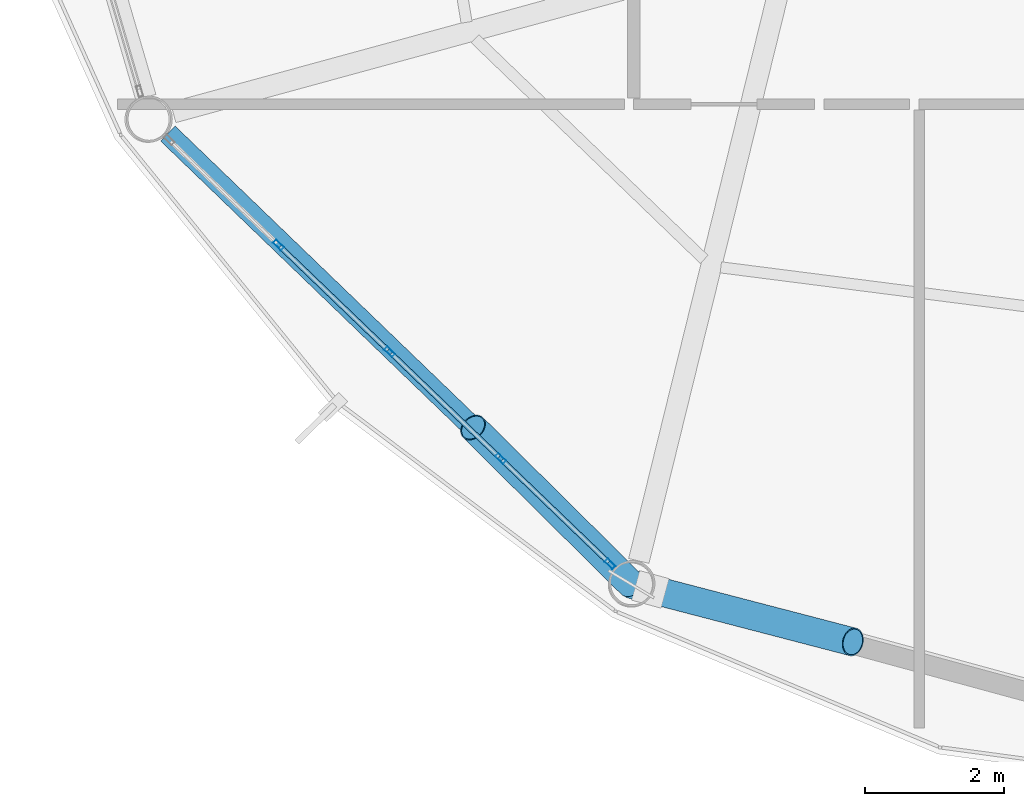
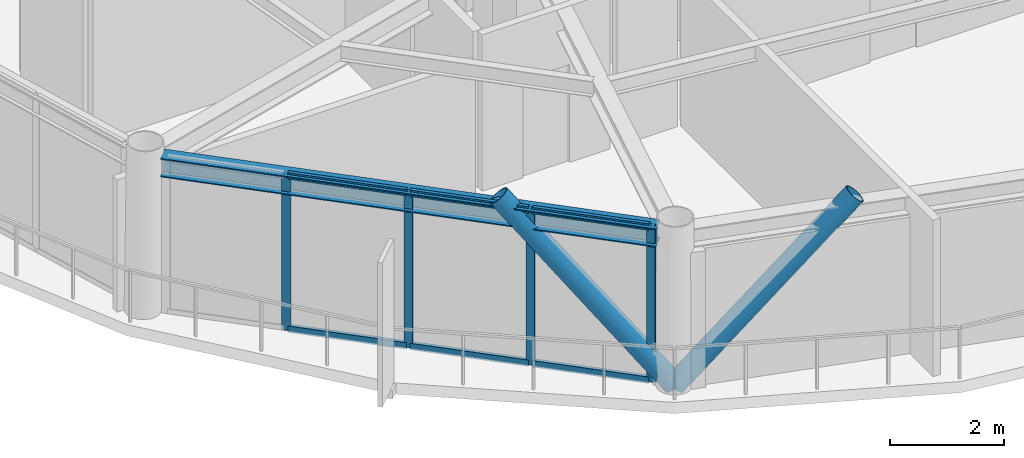
# One storey, part 2 of 28: 12 members, 1 beam, 1 element without a shape of its own.
"""IFC4 building model written with IfcOpenShell, lengths in metres."""

from ifc_helpers import new_model, si_unit, direction, frame, origin, origin_2d, place, context, subcontext, project, spatial, hollow_rectangle, hollow_circle, i_section, extrude, material, layer, layer_set, material_profile, profile_set, type_object, element, aggregate, save


model = new_model("IFC4")

# Units and contexts
model_context = context("Model", 3, precision=1e-05, world=origin(), true_north=direction((0.0, 1.0)))
body_context = subcontext(model_context, "Body", "Model", "MODEL_VIEW")
ifc_project = project(units=[si_unit("LENGTHUNIT", "METRE"), si_unit("AREAUNIT", "SQUARE_METRE"), si_unit("VOLUMEUNIT", "CUBIC_METRE"), si_unit("PLANEANGLEUNIT", "RADIAN"), si_unit("MASSUNIT", "GRAM", prefix="KILO")], contexts=[model_context])

# Site, building, storey
site_placement = place(None, origin())
site = spatial("IfcSite", under=ifc_project, at=site_placement, CompositionType="ELEMENT")
building_placement = place(site_placement, origin())
building = spatial("IfcBuilding", under=site, at=building_placement, Name="Varnakorn Sky Granary", CompositionType="ELEMENT")
storey_placement = place(building_placement, frame((0.0, 0.0, 214.800048828125)))
storey = spatial("IfcBuildingStorey", under=building, at=storey_placement, Name="L54", CompositionType="ELEMENT", Elevation=214.800048828125)

# Beam
ifc_material_1 = material(Name="Steel S355JR", Category="steel")
ifc_material_profile_1 = material_profile(ifc_material_1, i_section(OverallWidth=0.300048828125, OverallDepth=0.39990234375, WebThickness=0.013427734375, FlangeThickness=0.02392578125, at=origin_2d()), Name="HE 400 B")
ifc_profile_set_1 = profile_set([ifc_material_profile_1], Name="Steel S355JR")
beam_type = type_object("IfcBeamType", Name="BM-SPD-Z4", PredefinedType="SPANDREL", material=ifc_profile_set_1)
beam_placement = place(storey_placement, frame((-11.292724609375, -9.322998046875, 3.159912109375), z_axis=(0.720174244008, -0.693793238846, 0.0), x_axis=(0.693793238846, 0.720174244008, 0.0)))
element("IfcBeam", 1, at=beam_placement, inside=storey, type_object=beam_type, Name="Perimeter Spandrel Ring Beam RB08 L54", PredefinedType="SPANDREL", context=body_context, shape_type="SweptSolid", body=[
    extrude(i_section(OverallWidth=0.300048828125, OverallDepth=0.39990234375, WebThickness=0.013427734375, FlangeThickness=0.02392578125, at=origin_2d()), origin(), (0.0, 0.0, 1.0), 8.976806640625),
])

# Curtain wall, members
ifc_material_2 = material(Name="Anodised Bronze Aluminium Alloy 6063-T6", Category="aluminium")
ifc_layer = layer(ifc_material_2, 0.169921875, Name="Anodised Bronze Aluminium Alloy 6063-T6")
ifc_layer_set = layer_set([ifc_layer], Name="Anodised Bronze Aluminium Alloy 6063-T6")
curtain_wall_type = type_object("IfcCurtainWallType", Name="CW-LAB-1", PredefinedType="USERDEFINED", material=ifc_layer_set)
curtain_wall_placement = place(storey_placement, origin())
curtain_wall = element("IfcCurtainWall", 2, at=curtain_wall_placement, inside=storey, type_object=curtain_wall_type, Name="Unitised Curtain Wall CW5 CW-L54-B08", ObjectType="CURTAIN WALL", PredefinedType="USERDEFINED")
ifc_material_profile_2 = material_profile(ifc_material_2, hollow_rectangle(XDim=0.06494140625, YDim=0.159912109375, WallThickness=0.00341796875, at=origin_2d()), Name="ALU MULL 65x160")
ifc_profile_set_2 = profile_set([ifc_material_profile_2], Name="Anodised Bronze Aluminium Alloy 6063-T6")
member_type_1 = type_object("IfcMemberType", Name="CW-LAB-1-MULL", PredefinedType="MULLION", material=ifc_profile_set_2)
member_1_placement = place(storey_placement, frame((-4.939453125, -15.505126953125, 0.0), z_axis=(0.0, 0.0, 1.0), x_axis=(-0.693140093091, -0.72080289355, 0.0)))
member_1 = element("IfcMember", 3, at=member_1_placement, type_object=member_type_1, Name="CW5 mullion 1", PredefinedType="MULLION", context=body_context, shape_type="SweptSolid", body=[
    extrude(hollow_rectangle(XDim=0.06494140625, YDim=0.159912109375, WallThickness=0.00341796875, at=origin_2d()), origin(), (0.0, 0.0, 1.0), 3.35986328125),
])
member_2_placement = place(storey_placement, frame((-6.511474609375, -13.99365234375, 0.0), z_axis=(0.0, 0.0, 1.0), x_axis=(-0.693140093091, -0.72080289355, 0.0)))
member_2 = element("IfcMember", 4, at=member_2_placement, type_object=member_type_1, Name="CW5 mullion 2", PredefinedType="MULLION", context=body_context, shape_type="SweptSolid", body=[
    extrude(hollow_rectangle(XDim=0.06494140625, YDim=0.159912109375, WallThickness=0.00341796875, at=origin_2d()), origin(), (0.0, 0.0, 1.0), 3.35986328125),
])
member_3_placement = place(storey_placement, frame((-8.106689453125, -12.45947265625, 0.0), z_axis=(0.0, 0.0, 1.0), x_axis=(-0.693140093091, -0.72080289355, 0.0)))
member_3 = element("IfcMember", 5, at=member_3_placement, type_object=member_type_1, Name="CW5 mullion 3", PredefinedType="MULLION", context=body_context, shape_type="SweptSolid", body=[
    extrude(hollow_rectangle(XDim=0.06494140625, YDim=0.159912109375, WallThickness=0.00341796875, at=origin_2d()), origin(), (0.0, 0.0, 1.0), 3.35986328125),
])
member_4_placement = place(storey_placement, frame((-9.7021484375, -10.92529296875, 0.0), z_axis=(0.0, 0.0, 1.0), x_axis=(-0.693140093091, -0.72080289355, 0.0)))
member_4 = element("IfcMember", 6, at=member_4_placement, type_object=member_type_1, Name="CW5 mullion 4", PredefinedType="MULLION", context=body_context, shape_type="SweptSolid", body=[
    extrude(hollow_rectangle(XDim=0.06494140625, YDim=0.159912109375, WallThickness=0.00341796875, at=origin_2d()), origin(), (0.0, 0.0, 1.0), 3.35986328125),
])
ifc_material_profile_3 = material_profile(ifc_material_2, hollow_rectangle(XDim=0.070068359375, YDim=0.139892578125, WallThickness=0.00341796875, at=origin_2d()), Name="ALU TRAN 70x140")
ifc_profile_set_3 = profile_set([ifc_material_profile_3], Name="Anodised Bronze Aluminium Alloy 6063-T6")
member_type_2 = type_object("IfcMemberType", Name="CW-LAB-1-TRAN", PredefinedType="USERDEFINED", material=ifc_profile_set_3)
member_5_placement = place(storey_placement, frame((-4.962890625, -15.482666015625, 0.034912109375), z_axis=(-0.720817543904, 0.693124857728, 0.0), x_axis=(-0.693124857728, -0.720817543904, 0.0)))
member_5 = element("IfcMember", 7, at=member_5_placement, type_object=member_type_2, Name="CW5 transom 1.1", ObjectType="TRANSOM", PredefinedType="USERDEFINED", context=body_context, shape_type="SweptSolid", body=[
    extrude(hollow_rectangle(XDim=0.070068359375, YDim=0.139892578125, WallThickness=0.00341796875, at=origin_2d()), origin(), (0.0, 0.0, 1.0), 2.115966796875),
])
member_6_placement = place(storey_placement, frame((-4.962890625, -15.482666015625, 3.324951171875), z_axis=(-0.720817543904, 0.693124857728, 0.0), x_axis=(-0.693124857728, -0.720817543904, 0.0)))
member_6 = element("IfcMember", 8, at=member_6_placement, type_object=member_type_2, Name="CW5 transom 1.2", ObjectType="TRANSOM", PredefinedType="USERDEFINED", context=body_context, shape_type="SweptSolid", body=[
    extrude(hollow_rectangle(XDim=0.070068359375, YDim=0.139892578125, WallThickness=0.00341796875, at=origin_2d()), origin(), (0.0, 0.0, 1.0), 2.115966796875),
])
member_7_placement = place(storey_placement, frame((-6.534912109375, -13.97119140625, 0.034912109375), z_axis=(-0.720723867839, 0.693222263295, 0.0), x_axis=(-0.693222263295, -0.720723867839, 0.0)))
member_7 = element("IfcMember", 9, at=member_7_placement, type_object=member_type_2, Name="CW5 transom 2.1", ObjectType="TRANSOM", PredefinedType="USERDEFINED", context=body_context, shape_type="SweptSolid", body=[
    extrude(hollow_rectangle(XDim=0.070068359375, YDim=0.139892578125, WallThickness=0.00341796875, at=origin_2d()), origin(), (0.0, 0.0, 1.0), 2.148193359375),
])
member_8_placement = place(storey_placement, frame((-6.534912109375, -13.97119140625, 3.324951171875), z_axis=(-0.720723867839, 0.693222263295, 0.0), x_axis=(-0.693222263295, -0.720723867839, 0.0)))
member_8 = element("IfcMember", 10, at=member_8_placement, type_object=member_type_2, Name="CW5 transom 2.2", ObjectType="TRANSOM", PredefinedType="USERDEFINED", context=body_context, shape_type="SweptSolid", body=[
    extrude(hollow_rectangle(XDim=0.070068359375, YDim=0.139892578125, WallThickness=0.00341796875, at=origin_2d()), origin(), (0.0, 0.0, 1.0), 2.148193359375),
])
member_9_placement = place(storey_placement, frame((-8.130126953125, -12.43701171875, 0.034912109375), z_axis=(-0.720835248654, 0.693106445143, 0.0), x_axis=(-0.693106445143, -0.720835248654, 0.0)))
member_9 = element("IfcMember", 11, at=member_9_placement, type_object=member_type_2, Name="CW5 transom 3.1", ObjectType="TRANSOM", PredefinedType="USERDEFINED", context=body_context, shape_type="SweptSolid", body=[
    extrude(hollow_rectangle(XDim=0.070068359375, YDim=0.139892578125, WallThickness=0.00341796875, at=origin_2d()), origin(), (0.0, 0.0, 1.0), 2.1484375),
])
member_10_placement = place(storey_placement, frame((-8.130126953125, -12.43701171875, 3.324951171875), z_axis=(-0.720835248654, 0.693106445143, 0.0), x_axis=(-0.693106445143, -0.720835248654, 0.0)))
member_10 = element("IfcMember", 12, at=member_10_placement, type_object=member_type_2, Name="CW5 transom 3.2", ObjectType="TRANSOM", PredefinedType="USERDEFINED", context=body_context, shape_type="SweptSolid", body=[
    extrude(hollow_rectangle(XDim=0.070068359375, YDim=0.139892578125, WallThickness=0.00341796875, at=origin_2d()), origin(), (0.0, 0.0, 1.0), 2.1484375),
])
aggregate(curtain_wall, [member_1, member_2, member_3, member_4, member_5, member_6, member_7, member_8, member_9, member_10])

# Members
ifc_material_3 = material(Name="Steel S460M", Category="steel")
ifc_material_profile_4 = material_profile(ifc_material_3, hollow_circle(Radius=0.203125, WallThickness=0.01611328125, at=origin_2d()), Name="CHS 406.4x16")
ifc_profile_set_4 = profile_set([ifc_material_profile_4], Name="Steel S460M")
member_type_3 = type_object("IfcMemberType", Name="MB-DIAG-T4", PredefinedType="BRACE", material=ifc_profile_set_4)
member_11_placement = place(storey_placement, frame((-4.635009765625, -15.798095703125, 0.0), z_axis=(-0.480022714172, 0.47538082696, 0.737286418726), x_axis=(-0.703662953992, -0.71053391698, 0.0)))
element("IfcMember", 13, at=member_11_placement, inside=storey, type_object=member_type_3, Name="Perimeter CHS Diagrid Brace DG08 L54", PredefinedType="BRACE", context=body_context, shape_type="SweptSolid", body=[
    extrude(hollow_circle(Radius=0.203125, WallThickness=0.01611328125, at=origin_2d()), origin(), (0.0, 0.0, 1.0), 4.733642578125),
])
member_12_placement = place(storey_placement, frame((-4.635009765625, -15.798095703125, 0.0), z_axis=(0.663859802554, -0.172950671554, 0.727583828683), x_axis=(0.252107778306, 0.967699161991, 0.0)))
element("IfcMember", 14, at=member_12_placement, inside=storey, type_object=member_type_3, Name="Perimeter CHS Diagrid Brace DG09 L54", PredefinedType="BRACE", context=body_context, shape_type="SweptSolid", body=[
    extrude(hollow_circle(Radius=0.203125, WallThickness=0.01611328125, at=origin_2d()), origin(), (0.0, 0.0, 1.0), 4.796630859375),
])

save(model, "model.ifc")
